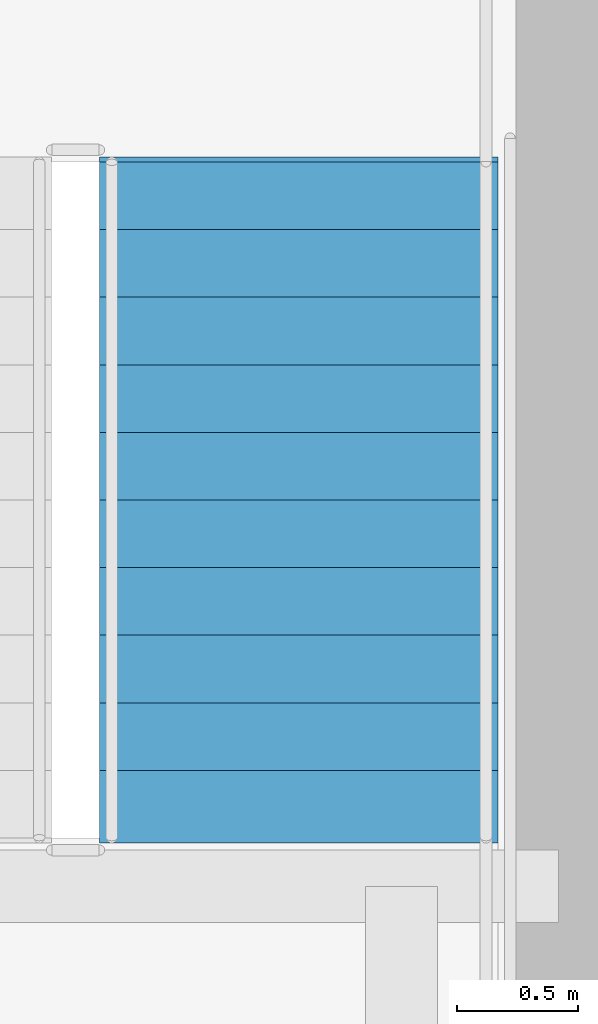
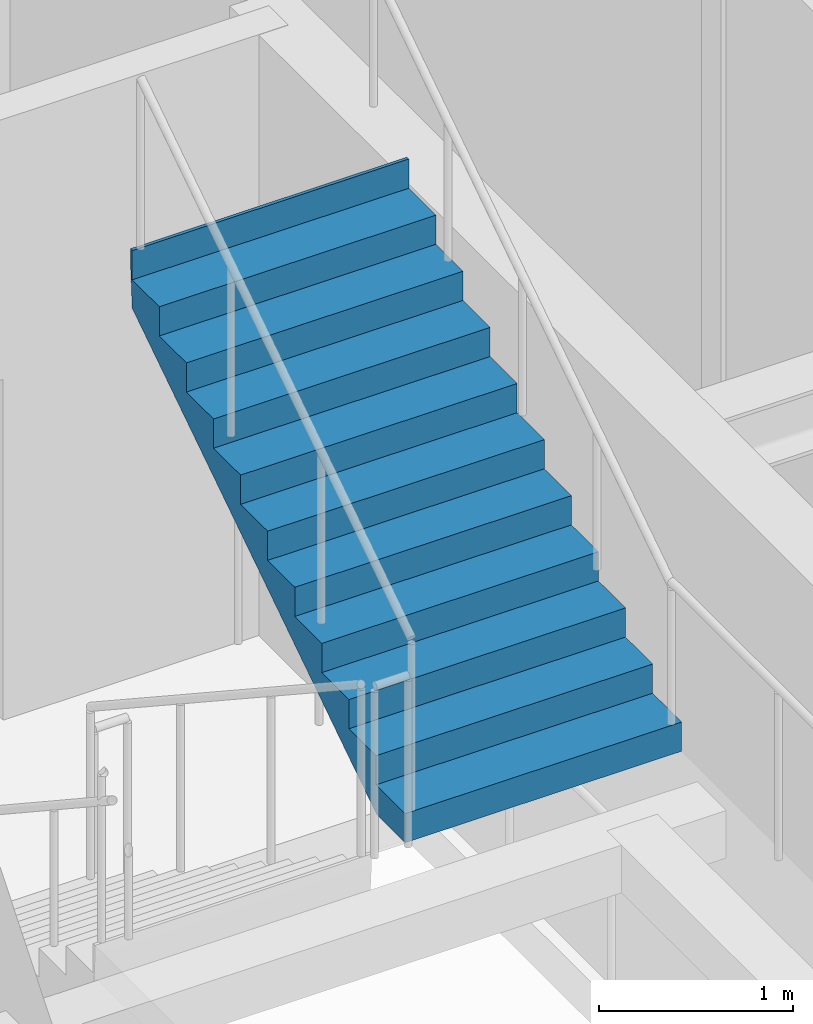
# One storey, part 33 of 38: 1 stair flight, 1 element without a shape of its own.
"""IFC4 building model written with IfcOpenShell, lengths in metres."""

import ifcopenshell
import ifcopenshell.guid

model = None  # the IFC model being written
_history = None  # IfcOwnerHistory: only IFC2X3 demands one
_inside = {}  # id of a spatial element -> (the spatial element, [elements in it])
_under = {}  # id of a project, library or spatial element -> (it, [spatial elements below it])
_declared = {}  # id of a project -> (the project, [libraries it declares])
_typed = {}  # id of a type object -> (the type object, [elements of that type])
_made_of = {}  # id of a material, layer set ... -> (it, [elements and type objects made of it])


def new_model(schema):
    """Start an empty IFC model of exactly this schema.

    Asked for "IFC4X3", IfcOpenShell would pick the latest addendum, in which some entities
    have other attributes; the version numbers below select the first issue.
    IFC2X3 requires an IfcOwnerHistory on every rooted entity: one is made here for all.
    """
    global model, _history
    if schema == "IFC4X3":
        model = ifcopenshell.file(schema_version=(4, 3, 0, 0))
    else:
        model = ifcopenshell.file(schema=schema)
    _inside.clear()
    _under.clear()
    _declared.clear()
    _typed.clear()
    _made_of.clear()
    _history = None
    if model.schema == "IFC2X3":
        org = make("IfcOrganization", Name="unknown")
        user = make(
            "IfcPersonAndOrganization",
            ThePerson=make("IfcPerson", FamilyName="unknown"),
            TheOrganization=org,
        )
        app = make(
            "IfcApplication",
            ApplicationDeveloper=org,
            Version="unknown",
            ApplicationFullName="unknown",
            ApplicationIdentifier="unknown",
        )
        _history = make(
            "IfcOwnerHistory",
            OwningUser=user,
            OwningApplication=app,
            ChangeAction="ADDED",
            CreationDate=0,
        )
    return model


def make(cls, **values):
    """One entity of the class cls with the attributes given. An attribute that is None is left unset."""
    return model.create_entity(
        cls, **{name: value for name, value in values.items() if value is not None}
    )


def rooted(cls, **values):
    """An entity with a GlobalId (a new one), such as an element, a storey or a relation."""
    return make(cls, GlobalId=ifcopenshell.guid.new(), OwnerHistory=_history, **values)


def si_unit(unit_type, name, prefix=None):
    """IfcSIUnit, for example si_unit("LENGTHUNIT", "METRE", prefix="MILLI")."""
    return make("IfcSIUnit", UnitType=unit_type, Prefix=prefix, Name=name)


def assignment(units):
    """IfcUnitAssignment: the units of a project."""
    return None if units is None else make("IfcUnitAssignment", Units=units)


def point(xyz):
    """IfcCartesianPoint."""
    return None if xyz is None else make("IfcCartesianPoint", Coordinates=xyz)


def direction(xyz):
    """IfcDirection."""
    return None if xyz is None else make("IfcDirection", DirectionRatios=xyz)


def frame(location, z_axis=None, x_axis=None):
    """IfcAxis2Placement3D, a coordinate frame: its origin and axes. An axis left out is left unset."""
    return make(
        "IfcAxis2Placement3D",
        Location=point(location),
        Axis=direction(z_axis),
        RefDirection=direction(x_axis),
    )


def origin():
    """The frame at (0, 0, 0) with its axes left unset."""
    return frame((0.0, 0.0, 0.0))


def place(relative_to, where):
    """IfcLocalPlacement: puts the frame where relative to a parent placement (None: the world)."""
    return make(
        "IfcLocalPlacement", PlacementRelTo=relative_to, RelativePlacement=where
    )


def context(
    kind, dimensions, precision=None, world=None, true_north=None, identifier=None
):
    """IfcGeometricRepresentationContext, for example the 3D "Model" context."""
    return make(
        "IfcGeometricRepresentationContext",
        ContextIdentifier=identifier,
        ContextType=kind,
        CoordinateSpaceDimension=dimensions,
        Precision=precision,
        WorldCoordinateSystem=world,
        TrueNorth=true_north,
    )


def subcontext(parent, identifier, kind, view, scale=None):
    """IfcGeometricRepresentationSubContext, for example "Body" below "Model"."""
    return make(
        "IfcGeometricRepresentationSubContext",
        ContextIdentifier=identifier,
        ContextType=kind,
        ParentContext=parent,
        TargetScale=scale,
        TargetView=view,
    )


def project(units=None, contexts=None):
    """IfcProject with its units and contexts."""
    return rooted(
        "IfcProject",
        Name="project",
        RepresentationContexts=contexts,
        UnitsInContext=assignment(units),
    )


def spatial(cls, under=None, at=None, **own):
    """A site, building, storey or space (cls), placed at a placement, below another one or the project."""
    s = rooted(cls, ObjectPlacement=at, **own)
    if under is not None:
        _under.setdefault(under.id(), (under, []))[1].append(s)
    return s


def point_list(points):
    """IfcCartesianPointList2D or 3D."""
    cls = (
        "IfcCartesianPointList2D" if len(points[0]) == 2 else "IfcCartesianPointList3D"
    )
    return make(cls, CoordList=points)


def polygons(points, faces, closed=None, point_numbers=None):
    """IfcPolygonalFaceSet: a face is its outer loop, then its inner loops; points numbered from 1."""
    made = []
    for loops in faces:
        if len(loops) == 1:
            made.append(make("IfcIndexedPolygonalFace", CoordIndex=loops[0]))
        else:
            made.append(
                make(
                    "IfcIndexedPolygonalFaceWithVoids",
                    CoordIndex=loops[0],
                    InnerCoordIndices=loops[1:],
                )
            )
    return make(
        "IfcPolygonalFaceSet",
        Coordinates=point_list(points),
        Closed=closed,
        Faces=made,
        PnIndex=point_numbers,
    )


def shape(context_of_items, identifier, shape_type, items):
    """IfcShapeRepresentation: the items that make up one representation, for example the "Body"."""
    return make(
        "IfcShapeRepresentation",
        ContextOfItems=context_of_items,
        RepresentationIdentifier=identifier,
        RepresentationType=shape_type,
        Items=items,
    )


def material(Name=None, Category=None):
    """IfcMaterial."""
    return make("IfcMaterial", Name=Name, Category=Category)


def made_of(thing, what):
    """Note that an element or type object is made of a material, layer set ...; save() writes the relation."""
    if what is not None:
        _made_of.setdefault(what.id(), (what, []))[1].append(thing)
    return thing


def type_object(cls, material=None, **own):
    """A type object (cls), such as IfcWallType, which elements share."""
    return made_of(rooted(cls, **own), material)


def element(
    cls,
    number,
    at=None,
    inside=None,
    cuts=None,
    type_object=None,
    material=None,
    context=None,
    identifier="Body",
    shape_type=None,
    held_by="IfcProductDefinitionShape",
    body=None,
    shapes=None,
    **own,
):
    """One element of the class cls, such as IfcWall. Its Tag is "e" and its number.

    at: its placement. inside: the storey or other place that contains it. cuts: it is an
    opening in that element (IfcRelVoidsElement). A single representation is given by context,
    identifier, shape_type and body (its items); several are given by shapes. held_by: the class
    of the entity that holds the representations. save() writes the other relations.
    """
    e = rooted(cls, Tag="e%d" % number, ObjectPlacement=at, **own)
    if body is not None:
        shapes = [shape(context, identifier, shape_type, body)]
    if shapes is not None:
        e.Representation = make(held_by, Representations=shapes)
    if inside is not None:
        _inside.setdefault(inside.id(), (inside, []))[1].append(e)
    if cuts is not None:
        rooted(
            "IfcRelVoidsElement", RelatingBuildingElement=cuts, RelatedOpeningElement=e
        )
    if type_object is not None:
        _typed.setdefault(type_object.id(), (type_object, []))[1].append(e)
    return made_of(e, material)


def aggregate(whole, parts):
    """IfcRelAggregates: a whole, such as a stair, and the parts it consists of."""
    return rooted("IfcRelAggregates", RelatingObject=whole, RelatedObjects=parts)


def save(model, path):
    """Write the relations noted so far, then the file.

    IfcRelAggregates (storeys below a building ...), IfcRelContainedInSpatialStructure (elements
    in a storey), IfcRelDefinesByType, IfcRelAssociatesMaterial and IfcRelDeclares: one each for
    every whole, place, type object, material and project.
    """
    for whole, parts in _under.values():
        aggregate(whole, parts)
    for where, things in _inside.values():
        rooted(
            "IfcRelContainedInSpatialStructure",
            RelatedElements=things,
            RelatingStructure=where,
        )
    for kind, things in _typed.values():
        rooted("IfcRelDefinesByType", RelatedObjects=things, RelatingType=kind)
    for what, things in _made_of.values():
        rooted("IfcRelAssociatesMaterial", RelatedObjects=things, RelatingMaterial=what)
    for by, libraries in _declared.values():
        rooted("IfcRelDeclares", RelatingContext=by, RelatedDefinitions=libraries)
    model.write(path)


model = new_model("IFC4")

# Units and contexts
model_context = context("Model", 3, precision=1e-05, world=origin(), true_north=direction((0.0, 1.0)))
body_context = subcontext(model_context, "Body", "Model", "MODEL_VIEW")
ifc_project = project(units=[si_unit("LENGTHUNIT", "METRE"), si_unit("AREAUNIT", "SQUARE_METRE"), si_unit("VOLUMEUNIT", "CUBIC_METRE"), si_unit("PLANEANGLEUNIT", "RADIAN"), si_unit("MASSUNIT", "GRAM", prefix="KILO")], contexts=[model_context])

# Site, building, storey
site_placement = place(None, origin())
site = spatial("IfcSite", under=ifc_project, at=site_placement, CompositionType="ELEMENT")
building_placement = place(site_placement, origin())
building = spatial("IfcBuilding", under=site, at=building_placement, Name="Serunith Strait Residences", CompositionType="ELEMENT")
storey_placement = place(building_placement, frame((0.0, 0.0, 321.800048828125)))
storey = spatial("IfcBuildingStorey", under=building, at=storey_placement, Name="L80", CompositionType="ELEMENT", Elevation=321.800048828125)

# Stair, stair flight
ifc_material = material(Name="Concrete C50/60", Category="concrete")
stair_type = type_object("IfcStairType", Name="STR-CORE-2", PredefinedType="HALF_TURN_STAIR", material=ifc_material)
stair_placement = place(storey_placement, origin())
stair = element("IfcStair", 1, at=stair_placement, inside=storey, type_object=stair_type, Name="L80 Protected Escape Stair ST-2", PredefinedType="HALF_TURN_STAIR")
stair_flight_type = type_object("IfcStairFlightType", Name="FLT-CORE-2", PredefinedType="STRAIGHT", material=ifc_material)
stair_flight_placement = place(storey_placement, frame((40.324951171875, 20.570068359375, 2.02490234375), z_axis=(0.0, 0.0, 1.0), x_axis=(0.0, 1.0, 0.0)))
stair_flight = element("IfcStairFlight", 2, at=stair_flight_placement, type_object=stair_flight_type, Name="ST-2 flight 2", NumberOfRisers=11, NumberOfTreads=10, PredefinedType="STRAIGHT", RiserHeight=0.184090909, TreadLength=0.28, context=body_context, shape_type="Tessellation", body=[
    polygons([(-0.02001953125, -0.824951171875, 0.0), (-0.02001953125, -0.824951171875, 0.18408203125), (0.280029296875, -0.824951171875, 0.18408203125), (0.280029296875, -0.824951171875, 0.3681640625), (0.56005859375, -0.824951171875, 0.3681640625), (0.56005859375, -0.824951171875, 0.55224609375), (0.840087890625, -0.824951171875, 0.55224609375), (0.840087890625, -0.824951171875, 0.736328125), (1.1201171875, -0.824951171875, 0.736328125), (1.1201171875, -0.824951171875, 0.92041015625), (1.39990234375, -0.824951171875, 0.92041015625), (1.39990234375, -0.824951171875, 1.1044921875), (1.679931640625, -0.824951171875, 1.1044921875), (1.679931640625, -0.824951171875, 1.28857421875), (1.9599609375, -0.824951171875, 1.28857421875), (1.9599609375, -0.824951171875, 1.47265625), (2.239990234375, -0.824951171875, 1.47265625), (2.239990234375, -0.824951171875, 1.65673828125), (2.52001953125, -0.824951171875, 1.65673828125), (2.52001953125, -0.824951171875, 1.8408203125), (2.800048828125, -0.824951171875, 1.8408203125), (2.800048828125, -0.824951171875, 2.02490234375), (2.820068359375, -0.824951171875, 2.02490234375), (2.820068359375, -0.824951171875, 1.965087890625), (2.800048828125, -0.824951171875, 1.66162109375), (0.27294921875, -0.824951171875, 0.0), (-0.02001953125, -0.41259765625, 0.0), (-0.02001953125, -0.41259765625, 0.18408203125), (0.280029296875, -0.41259765625, 0.18408203125), (0.280029296875, -0.41259765625, 0.3681640625), (0.56005859375, -0.41259765625, 0.3681640625), (0.56005859375, -0.41259765625, 0.55224609375), (0.840087890625, -0.41259765625, 0.55224609375), (0.840087890625, -0.41259765625, 0.736328125), (1.1201171875, -0.41259765625, 0.736328125), (1.1201171875, -0.41259765625, 0.92041015625), (1.39990234375, -0.41259765625, 0.92041015625), (1.39990234375, -0.41259765625, 1.1044921875), (1.679931640625, -0.41259765625, 1.1044921875), (1.679931640625, -0.41259765625, 1.28857421875), (1.9599609375, -0.41259765625, 1.28857421875), (1.9599609375, -0.41259765625, 1.47265625), (2.239990234375, -0.41259765625, 1.47265625), (2.239990234375, -0.41259765625, 1.65673828125), (2.52001953125, -0.41259765625, 1.65673828125), (2.52001953125, -0.41259765625, 1.8408203125), (2.800048828125, -0.41259765625, 1.8408203125), (2.800048828125, -0.41259765625, 2.02490234375), (2.820068359375, -0.41259765625, 2.02490234375), (2.820068359375, -0.41259765625, 1.965087890625), (2.800048828125, -0.41259765625, 1.66162109375), (0.27294921875, -0.41259765625, 0.0), (-0.02001953125, 0.0, 0.0), (-0.02001953125, 0.0, 0.18408203125), (0.280029296875, 0.0, 0.18408203125), (0.280029296875, 0.0, 0.3681640625), (0.56005859375, 0.0, 0.3681640625), (0.56005859375, 0.0, 0.55224609375), (0.840087890625, 0.0, 0.55224609375), (0.840087890625, 0.0, 0.736328125), (1.1201171875, 0.0, 0.736328125), (1.1201171875, 0.0, 0.92041015625), (1.39990234375, 0.0, 0.92041015625), (1.39990234375, 0.0, 1.1044921875), (1.679931640625, 0.0, 1.1044921875), (1.679931640625, 0.0, 1.28857421875), (1.9599609375, 0.0, 1.28857421875), (1.9599609375, 0.0, 1.47265625), (2.239990234375, 0.0, 1.47265625), (2.239990234375, 0.0, 1.65673828125), (2.52001953125, 0.0, 1.65673828125), (2.52001953125, 0.0, 1.8408203125), (2.800048828125, 0.0, 1.8408203125), (2.800048828125, 0.0, 2.02490234375), (2.820068359375, 0.0, 2.02490234375), (2.820068359375, 0.0, 1.965087890625), (2.800048828125, 0.0, 1.66162109375), (0.27294921875, 0.0, 0.0), (-0.02001953125, 0.41259765625, 0.0), (-0.02001953125, 0.41259765625, 0.18408203125), (0.280029296875, 0.41259765625, 0.18408203125), (0.280029296875, 0.41259765625, 0.3681640625), (0.56005859375, 0.41259765625, 0.3681640625), (0.56005859375, 0.41259765625, 0.55224609375), (0.840087890625, 0.41259765625, 0.55224609375), (0.840087890625, 0.41259765625, 0.736328125), (1.1201171875, 0.41259765625, 0.736328125), (1.1201171875, 0.41259765625, 0.92041015625), (1.39990234375, 0.41259765625, 0.92041015625), (1.39990234375, 0.41259765625, 1.1044921875), (1.679931640625, 0.41259765625, 1.1044921875), (1.679931640625, 0.41259765625, 1.28857421875), (1.9599609375, 0.41259765625, 1.28857421875), (1.9599609375, 0.41259765625, 1.47265625), (2.239990234375, 0.41259765625, 1.47265625), (2.239990234375, 0.41259765625, 1.65673828125), (2.52001953125, 0.41259765625, 1.65673828125), (2.52001953125, 0.41259765625, 1.8408203125), (2.800048828125, 0.41259765625, 1.8408203125), (2.800048828125, 0.41259765625, 2.02490234375), (2.820068359375, 0.41259765625, 2.02490234375), (2.820068359375, 0.41259765625, 1.965087890625), (2.800048828125, 0.41259765625, 1.66162109375), (0.27294921875, 0.41259765625, 0.0), (-0.02001953125, 0.824951171875, 0.0), (-0.02001953125, 0.824951171875, 0.18408203125), (0.280029296875, 0.824951171875, 0.18408203125), (0.280029296875, 0.824951171875, 0.3681640625), (0.56005859375, 0.824951171875, 0.3681640625), (0.56005859375, 0.824951171875, 0.55224609375), (0.840087890625, 0.824951171875, 0.55224609375), (0.840087890625, 0.824951171875, 0.736328125), (1.1201171875, 0.824951171875, 0.736328125), (1.1201171875, 0.824951171875, 0.92041015625), (1.39990234375, 0.824951171875, 0.92041015625), (1.39990234375, 0.824951171875, 1.1044921875), (1.679931640625, 0.824951171875, 1.1044921875), (1.679931640625, 0.824951171875, 1.28857421875), (1.9599609375, 0.824951171875, 1.28857421875), (1.9599609375, 0.824951171875, 1.47265625), (2.239990234375, 0.824951171875, 1.47265625), (2.239990234375, 0.824951171875, 1.65673828125), (2.52001953125, 0.824951171875, 1.65673828125), (2.52001953125, 0.824951171875, 1.8408203125), (2.800048828125, 0.824951171875, 1.8408203125), (2.800048828125, 0.824951171875, 2.02490234375), (2.820068359375, 0.824951171875, 2.02490234375), (2.820068359375, 0.824951171875, 1.965087890625), (2.800048828125, 0.824951171875, 1.66162109375), (0.27294921875, 0.824951171875, 0.0)], [[[1, 2, 28, 27]], [[2, 3, 29, 28]], [[3, 4, 30, 29]], [[4, 5, 31, 30]], [[5, 6, 32, 31]], [[6, 7, 33, 32]], [[7, 8, 34, 33]], [[8, 9, 35, 34]], [[9, 10, 36, 35]], [[10, 11, 37, 36]], [[11, 12, 38, 37]], [[12, 13, 39, 38]], [[13, 14, 40, 39]], [[14, 15, 41, 40]], [[15, 16, 42, 41]], [[16, 17, 43, 42]], [[17, 18, 44, 43]], [[18, 19, 45, 44]], [[19, 20, 46, 45]], [[20, 21, 47, 46]], [[21, 22, 48, 47]], [[22, 23, 49, 48]], [[23, 24, 50, 49]], [[24, 25, 51, 50]], [[25, 26, 52, 51]], [[26, 1, 27, 52]], [[27, 28, 54, 53]], [[28, 29, 55, 54]], [[29, 30, 56, 55]], [[30, 31, 57, 56]], [[31, 32, 58, 57]], [[32, 33, 59, 58]], [[33, 34, 60, 59]], [[34, 35, 61, 60]], [[35, 36, 62, 61]], [[36, 37, 63, 62]], [[37, 38, 64, 63]], [[38, 39, 65, 64]], [[39, 40, 66, 65]], [[40, 41, 67, 66]], [[41, 42, 68, 67]], [[42, 43, 69, 68]], [[43, 44, 70, 69]], [[44, 45, 71, 70]], [[45, 46, 72, 71]], [[46, 47, 73, 72]], [[47, 48, 74, 73]], [[48, 49, 75, 74]], [[49, 50, 76, 75]], [[50, 51, 77, 76]], [[51, 52, 78, 77]], [[52, 27, 53, 78]], [[53, 54, 80, 79]], [[54, 55, 81, 80]], [[55, 56, 82, 81]], [[56, 57, 83, 82]], [[57, 58, 84, 83]], [[58, 59, 85, 84]], [[59, 60, 86, 85]], [[60, 61, 87, 86]], [[61, 62, 88, 87]], [[62, 63, 89, 88]], [[63, 64, 90, 89]], [[64, 65, 91, 90]], [[65, 66, 92, 91]], [[66, 67, 93, 92]], [[67, 68, 94, 93]], [[68, 69, 95, 94]], [[69, 70, 96, 95]], [[70, 71, 97, 96]], [[71, 72, 98, 97]], [[72, 73, 99, 98]], [[73, 74, 100, 99]], [[74, 75, 101, 100]], [[75, 76, 102, 101]], [[76, 77, 103, 102]], [[77, 78, 104, 103]], [[78, 53, 79, 104]], [[79, 80, 106, 105]], [[80, 81, 107, 106]], [[81, 82, 108, 107]], [[82, 83, 109, 108]], [[83, 84, 110, 109]], [[84, 85, 111, 110]], [[85, 86, 112, 111]], [[86, 87, 113, 112]], [[87, 88, 114, 113]], [[88, 89, 115, 114]], [[89, 90, 116, 115]], [[90, 91, 117, 116]], [[91, 92, 118, 117]], [[92, 93, 119, 118]], [[93, 94, 120, 119]], [[94, 95, 121, 120]], [[95, 96, 122, 121]], [[96, 97, 123, 122]], [[97, 98, 124, 123]], [[98, 99, 125, 124]], [[99, 100, 126, 125]], [[100, 101, 127, 126]], [[101, 102, 128, 127]], [[102, 103, 129, 128]], [[103, 104, 130, 129]], [[104, 79, 105, 130]], [[26, 25, 24, 23, 22, 21, 20, 19, 18, 17, 16, 15, 14, 13, 12, 11, 10, 9, 8, 7, 6, 5, 4, 3, 2, 1]], [[105, 106, 107, 108, 109, 110, 111, 112, 113, 114, 115, 116, 117, 118, 119, 120, 121, 122, 123, 124, 125, 126, 127, 128, 129, 130]]], closed=True),
])
aggregate(stair, [stair_flight])

save(model, "model.ifc")
